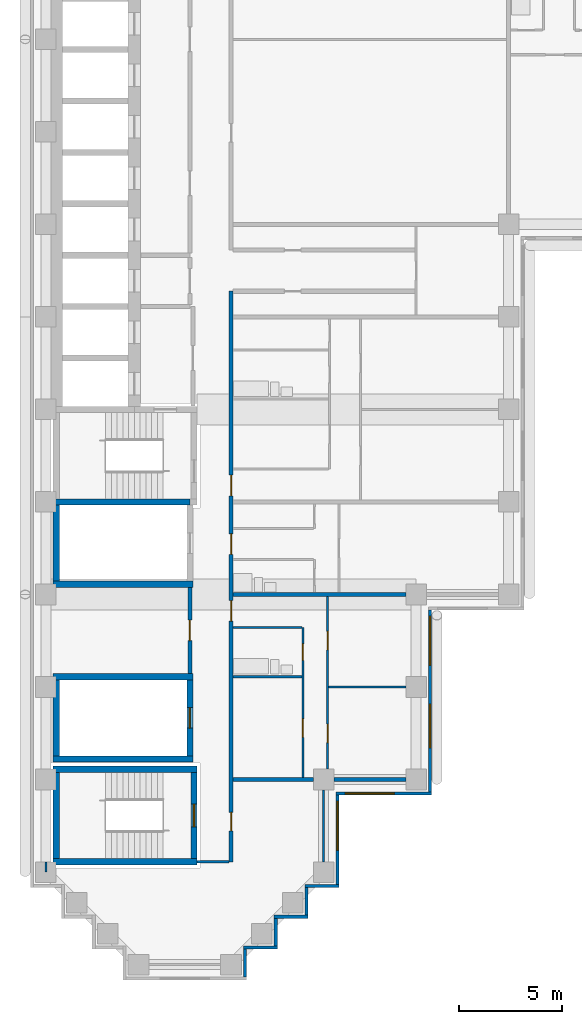
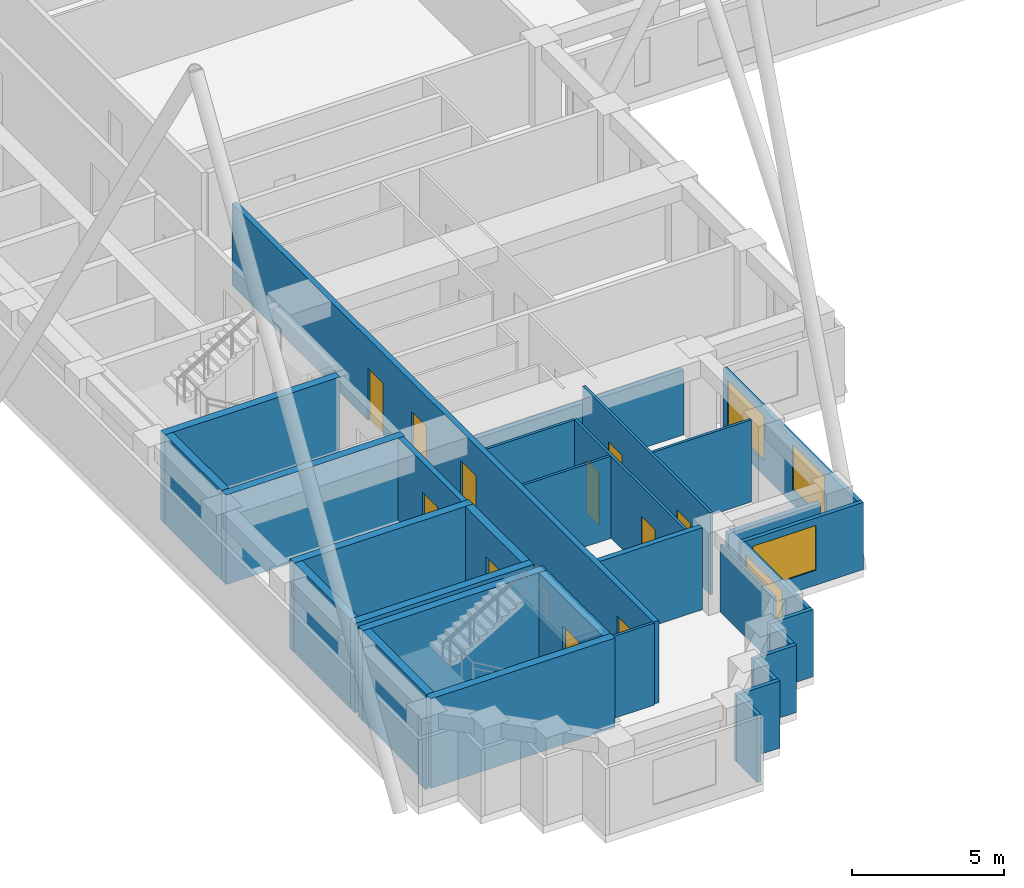
# One storey, part 3 of 13: 33 walls, 11 doors, 4 windows, 15 openings.
"""IFC4 building model written with IfcOpenShell, lengths in metres."""

from ifc_helpers import new_model, si_unit, direction, frame, frame_2d, origin, place, context, subcontext, project, spatial, rectangle, extrude, material, layer, layer_set, type_object, element, fill, save


model = new_model("IFC4")

# Units and contexts
model_context = context("Model", 3, precision=1e-05, world=origin(), true_north=direction((0.0, 1.0)))
body_context = subcontext(model_context, "Body", "Model", "MODEL_VIEW")
ifc_project = project(units=[si_unit("LENGTHUNIT", "METRE"), si_unit("AREAUNIT", "SQUARE_METRE"), si_unit("VOLUMEUNIT", "CUBIC_METRE"), si_unit("PLANEANGLEUNIT", "RADIAN"), si_unit("MASSUNIT", "GRAM", prefix="KILO")], contexts=[model_context])

# Site, building, storey
site_placement = place(None, origin())
site = spatial("IfcSite", under=ifc_project, at=site_placement, CompositionType="ELEMENT")
building_placement = place(site_placement, origin())
building = spatial("IfcBuilding", under=site, at=building_placement, Name="Firuza Court", CompositionType="ELEMENT")
storey_placement = place(building_placement, frame((0.0, 0.0, 141.199951171875)))
storey = spatial("IfcBuildingStorey", under=building, at=storey_placement, Name="L35", CompositionType="ELEMENT", Elevation=141.199951171875)

# Walls
ifc_material_1 = material(Name="Moisture-resistant gypsum board partition")
ifc_layer_1 = layer(ifc_material_1, 0.10009765625)
ifc_layer_set_1 = layer_set([ifc_layer_1], Name="Moisture-resistant gypsum board partition")
wall_type_1 = type_object("IfcWallType", Name="Bathroom partition 100", PredefinedType="PLUMBINGWALL", material=ifc_layer_set_1)
for number, where, z_axis, x_axis, name in (
    (1, (9.10009765625, 14.0, 0.0), (0.0, 0.0, 1.0), (1.0, 0.0, 0.0), "Bathroom partition 100 L35"),
    (2, (9.10009765625, 16.39990234375, 0.0), (0.0, 0.0, 1.0), (1.0, 0.0, 0.0), "Bathroom partition 100 L35"),
):
    element("IfcWall", number, at=place(storey_placement, frame(where, z_axis=z_axis, x_axis=x_axis)), inside=storey, type_object=wall_type_1, Name=name, PredefinedType="PLUMBINGWALL", context=body_context, shape_type="SweptSolid", body=[
        extrude(rectangle(XDim=3.349853515625, YDim=0.10009765625, at=frame_2d((1.6748046875, 0.0))), origin(), (0.0, 0.0, 1.0), 3.300048828125),
    ])
ifc_material_2 = material(Name="Concrete C60/75", Category="concrete")
ifc_layer_2 = layer(ifc_material_2, 0.300048828125)
ifc_layer_set_2 = layer_set([ifc_layer_2], Name="Concrete C60/75")
wall_type_2 = type_object("IfcWallType", Name="Core wall 300 C60/75", PredefinedType="SHEAR", material=ifc_layer_set_2)
for number, where, z_axis, x_axis, name in (
    (3, (0.35009765625, 5.0, -0.300048828125), (0.0, 0.0, 1.0), (1.0, 0.0, 0.0), "Core wall stair L35"),
    (4, (0.35009765625, 9.5, -0.300048828125), (0.0, 0.0, 1.0), (1.0, 0.0, 0.0), "Core wall stair L35"),
):
    element("IfcWall", number, at=place(storey_placement, frame(where, z_axis=z_axis, x_axis=x_axis)), inside=storey, type_object=wall_type_2, Name=name, PredefinedType="SHEAR", context=body_context, shape_type="SweptSolid", body=[
        extrude(rectangle(XDim=7.0, YDim=0.300048828125, at=frame_2d((3.5, 0.0))), origin(), (0.0, 0.0, 1.0), 3.60009765625),
    ])
for number, where, z_axis, x_axis, name in (
    (5, (0.35009765625, 10.0, -0.300048828125), (0.0, 0.0, 1.0), (1.0, 0.0, 0.0), "Core wall riser L35"),
    (6, (0.35009765625, 14.0, -0.300048828125), (0.0, 0.0, 1.0), (1.0, 0.0, 0.0), "Core wall riser L35"),
    (7, (0.35009765625, 18.5, -0.300048828125), (0.0, 0.0, 1.0), (1.0, 0.0, 0.0), "Core wall riser L35"),
):
    element("IfcWall", number, at=place(storey_placement, frame(where, z_axis=z_axis, x_axis=x_axis)), inside=storey, type_object=wall_type_2, Name=name, PredefinedType="SHEAR", context=body_context, shape_type="SweptSolid", body=[
        extrude(rectangle(XDim=6.7998046875, YDim=0.300048828125, at=frame_2d((3.39990234375, 0.0))), origin(), (0.0, 0.0, 1.0), 3.60009765625),
    ])
wall_1_placement = place(storey_placement, frame((0.35009765625, 22.5, -0.300048828125), z_axis=(0.0, 0.0, 1.0), x_axis=(1.0, 0.0, 0.0)))
element("IfcWall", 8, at=wall_1_placement, inside=storey, type_object=wall_type_2, Name="Core wall riser L35", PredefinedType="SHEAR", context=body_context, shape_type="SweptSolid", body=[
    extrude(rectangle(XDim=6.64990234375, YDim=0.300048828125, at=frame_2d((3.324951171875, 0.0))), origin(), (0.0, 0.0, 1.0), 3.60009765625),
])
wall_2_placement = place(storey_placement, frame((0.5, 5.14990234375, -0.300048828125), z_axis=(0.0, 0.0, 1.0), x_axis=(0.0, 1.0, 0.0)))
element("IfcWall", 9, at=wall_2_placement, inside=storey, type_object=wall_type_2, Name="Core wall stair L35", PredefinedType="SHEAR", context=body_context, shape_type="SweptSolid", body=[
    extrude(rectangle(XDim=4.2001953125, YDim=0.300048828125, at=frame_2d((2.10009765625, 0.0))), origin(), (0.0, 0.0, 1.0), 3.60009765625),
])
for number, where, z_axis, x_axis, name in (
    (10, (0.5, 10.14990234375, -0.300048828125), (0.0, 0.0, 1.0), (0.0, 1.0, 0.0), "Core wall riser L35"),
    (11, (0.5, 18.64990234375, -0.300048828125), (0.0, 0.0, 1.0), (0.0, 1.0, 0.0), "Core wall riser L35"),
):
    element("IfcWall", number, at=place(storey_placement, frame(where, z_axis=z_axis, x_axis=x_axis)), inside=storey, type_object=wall_type_2, Name=name, PredefinedType="SHEAR", context=body_context, shape_type="SweptSolid", body=[
        extrude(rectangle(XDim=3.7001953125, YDim=0.300048828125, at=frame_2d((1.85009765625, 0.0))), origin(), (0.0, 0.0, 1.0), 3.60009765625),
    ])

# Wall, opening, door
wall_3_placement = place(storey_placement, frame((7.0, 10.14990234375, -0.300048828125), z_axis=(0.0, 0.0, 1.0), x_axis=(0.0, 1.0, 0.0)))
wall_3 = element("IfcWall", 12, at=wall_3_placement, inside=storey, type_object=wall_type_2, Name="Core wall riser L35", PredefinedType="SHEAR", context=body_context, shape_type="SweptSolid", body=[
    extrude(rectangle(XDim=3.7001953125, YDim=0.300048828125, at=frame_2d((1.85009765625, 0.0))), origin(), (0.0, 0.0, 1.0), 3.60009765625),
])
opening_1_placement = place(wall_3_placement, frame((1.35009765625, 0.0, 0.300048828125)))
opening_1 = element("IfcOpeningElement", 13, at=opening_1_placement, cuts=wall_3, Name="Opening D35011", PredefinedType="OPENING", context=body_context, shape_type="SweptSolid", body=[
    extrude(rectangle(XDim=1.0, YDim=2.10009765625, at=frame_2d((0.5, 1.050048828125))), frame((0.0, 0.162109375, 0.0), z_axis=(0.0, -1.0, 0.0), x_axis=(1.0, 0.0, 0.0)), (0.0, 0.0, 1.0), 0.323974609375),
])
ifc_material_3 = material(Name="Timber door leaf in hardwood frame", Category="wood")
door_type_1 = type_object("IfcDoorType", Name="Riser door 1000", OperationType="SINGLE_SWING_LEFT", PredefinedType="DOOR", material=ifc_material_3)
door_1_placement = place(opening_1_placement, origin())
door_1 = element("IfcDoor", 14, at=door_1_placement, inside=storey, type_object=door_type_1, Name="Riser door R4", OperationType="SINGLE_SWING_LEFT", OverallHeight=2.10009765625, OverallWidth=1.0, PredefinedType="DOOR", context=body_context, shape_type="SweptSolid", body=[
    extrude(rectangle(XDim=1.0, YDim=2.10009765625, at=frame_2d((0.5, 1.050048828125))), frame((0.0, 0.02490234375, 0.0), z_axis=(0.0, -1.0, 0.0), x_axis=(1.0, 0.0, 0.0)), (0.0, 0.0, 1.0), 0.050048828125),
])
fill(opening_1, door_1)

wall_4_placement = place(storey_placement, frame((7.199951171875, 5.14990234375, -0.300048828125), z_axis=(0.0, 0.0, 1.0), x_axis=(0.0, 1.0, 0.0)))
wall_4 = element("IfcWall", 15, at=wall_4_placement, inside=storey, type_object=wall_type_2, Name="Core wall stair L35", PredefinedType="SHEAR", context=body_context, shape_type="SweptSolid", body=[
    extrude(rectangle(XDim=4.2001953125, YDim=0.300048828125, at=frame_2d((2.10009765625, 0.0))), origin(), (0.0, 0.0, 1.0), 3.60009765625),
])
opening_2_placement = place(wall_4_placement, frame((1.550048828125, 0.0, 0.300048828125)))
opening_2 = element("IfcOpeningElement", 16, at=opening_2_placement, cuts=wall_4, Name="Opening D35017", PredefinedType="OPENING", context=body_context, shape_type="SweptSolid", body=[
    extrude(rectangle(XDim=1.10009765625, YDim=2.10009765625, at=frame_2d((0.550048828125, 1.050048828125))), frame((0.0, 0.162109375, 0.0), z_axis=(0.0, -1.0, 0.0), x_axis=(1.0, 0.0, 0.0)), (0.0, 0.0, 1.0), 0.323974609375),
])
ifc_material_4 = material(Name="Timber door leaf in hardwood frame", Category="wood")
door_type_2 = type_object("IfcDoorType", Name="Stair door 1100", OperationType="SINGLE_SWING_LEFT", PredefinedType="DOOR", material=ifc_material_4)
door_2_placement = place(opening_2_placement, origin())
door_2 = element("IfcDoor", 17, at=door_2_placement, inside=storey, type_object=door_type_2, Name="Stair door S5", OperationType="SINGLE_SWING_LEFT", OverallHeight=2.10009765625, OverallWidth=1.10009765625, PredefinedType="DOOR", context=body_context, shape_type="SweptSolid", body=[
    extrude(rectangle(XDim=1.10009765625, YDim=2.10009765625, at=frame_2d((0.550048828125, 1.050048828125))), frame((0.0, 0.02490234375, 0.0), z_axis=(0.0, -1.0, 0.0), x_axis=(1.0, 0.0, 0.0)), (0.0, 0.0, 1.0), 0.050048828125),
])
fill(opening_2, door_2)

# Wall, openings, doors
ifc_material_5 = material(Name="Blockwork, plastered both sides", Category="masonry")
ifc_layer_3 = layer(ifc_material_5, 0.199951171875)
ifc_layer_set_3 = layer_set([ifc_layer_3], Name="Blockwork, plastered both sides")
wall_type_3 = type_object("IfcWallType", Name="Corridor wall 200", PredefinedType="PARTITIONING", material=ifc_layer_set_3)
wall_5_placement = place(storey_placement, frame((9.0, 5.0, 0.0), z_axis=(0.0, 0.0, 1.0), x_axis=(0.0, 1.0, 0.0)))
wall_5 = element("IfcWall", 18, at=wall_5_placement, inside=storey, type_object=wall_type_3, Name="Corridor wall 200 L35", PredefinedType="PARTITIONING", context=body_context, shape_type="SweptSolid", body=[
    extrude(rectangle(XDim=27.75, YDim=0.199951171875, at=frame_2d((13.875, 0.0))), origin(), (0.0, 0.0, 1.0), 3.300048828125),
])
opening_3_placement = place(wall_5_placement, frame((17.800048828125, 0.0, 0.0)))
opening_3 = element("IfcOpeningElement", 19, at=opening_3_placement, cuts=wall_5, Name="Opening D35018", PredefinedType="OPENING", context=body_context, shape_type="SweptSolid", body=[
    extrude(rectangle(XDim=1.0, YDim=2.10009765625, at=frame_2d((0.5, 1.050048828125))), frame((0.0, 0.11181640625, 0.0), z_axis=(0.0, -1.0, 0.0), x_axis=(1.0, 0.0, 0.0)), (0.0, 0.0, 1.0), 0.223876953125),
])
opening_4_placement = place(wall_5_placement, frame((14.949951171875, 0.0, 0.0)))
opening_4 = element("IfcOpeningElement", 20, at=opening_4_placement, cuts=wall_5, Name="Opening D35019", PredefinedType="OPENING", context=body_context, shape_type="SweptSolid", body=[
    extrude(rectangle(XDim=1.0, YDim=2.10009765625, at=frame_2d((0.5, 1.050048828125))), frame((0.0, 0.11181640625, 0.0), z_axis=(0.0, -1.0, 0.0), x_axis=(1.0, 0.0, 0.0)), (0.0, 0.0, 1.0), 0.223876953125),
])
opening_5_placement = place(wall_5_placement, frame((11.699951171875, 0.0, 0.0)))
opening_5 = element("IfcOpeningElement", 21, at=opening_5_placement, cuts=wall_5, Name="Opening D35020", PredefinedType="OPENING", context=body_context, shape_type="SweptSolid", body=[
    extrude(rectangle(XDim=1.0, YDim=2.10009765625, at=frame_2d((0.5, 1.050048828125))), frame((0.0, 0.11181640625, 0.0), z_axis=(0.0, -1.0, 0.0), x_axis=(1.0, 0.0, 0.0)), (0.0, 0.0, 1.0), 0.223876953125),
])
opening_6_placement = place(wall_5_placement, frame((1.5, 0.0, 0.0)))
opening_6 = element("IfcOpeningElement", 22, at=opening_6_placement, cuts=wall_5, Name="Opening D35021", PredefinedType="OPENING", context=body_context, shape_type="SweptSolid", body=[
    extrude(rectangle(XDim=0.89990234375, YDim=2.10009765625, at=frame_2d((0.449951171875, 1.050048828125))), frame((0.0, 0.11181640625, 0.0), z_axis=(0.0, -1.0, 0.0), x_axis=(1.0, 0.0, 0.0)), (0.0, 0.0, 1.0), 0.223876953125),
])
ifc_material_6 = material(Name="Timber door leaf in hardwood frame", Category="wood")
door_type_3 = type_object("IfcDoorType", Name="Flat entrance door 1000", OperationType="SINGLE_SWING_LEFT", PredefinedType="DOOR", material=ifc_material_6)
door_3_placement = place(opening_3_placement, origin())
door_3 = element("IfcDoor", 23, at=door_3_placement, inside=storey, type_object=door_type_3, Name="Flat entrance door", OperationType="SINGLE_SWING_LEFT", OverallHeight=2.10009765625, OverallWidth=1.0, PredefinedType="DOOR", context=body_context, shape_type="SweptSolid", body=[
    extrude(rectangle(XDim=1.0, YDim=2.10009765625, at=frame_2d((0.5, 1.050048828125))), frame((0.0, 0.02490234375, 0.0), z_axis=(0.0, -1.0, 0.0), x_axis=(1.0, 0.0, 0.0)), (0.0, 0.0, 1.0), 0.050048828125),
])
fill(opening_3, door_3)
door_4_placement = place(opening_4_placement, origin())
door_4 = element("IfcDoor", 24, at=door_4_placement, inside=storey, type_object=door_type_3, Name="Flat entrance door", OperationType="SINGLE_SWING_LEFT", OverallHeight=2.10009765625, OverallWidth=1.0, PredefinedType="DOOR", context=body_context, shape_type="SweptSolid", body=[
    extrude(rectangle(XDim=1.0, YDim=2.10009765625, at=frame_2d((0.5, 1.050048828125))), frame((0.0, 0.02490234375, 0.0), z_axis=(0.0, -1.0, 0.0), x_axis=(1.0, 0.0, 0.0)), (0.0, 0.0, 1.0), 0.050048828125),
])
fill(opening_4, door_4)
door_5_placement = place(opening_5_placement, origin())
door_5 = element("IfcDoor", 25, at=door_5_placement, inside=storey, type_object=door_type_3, Name="Flat entrance door", OperationType="SINGLE_SWING_LEFT", OverallHeight=2.10009765625, OverallWidth=1.0, PredefinedType="DOOR", context=body_context, shape_type="SweptSolid", body=[
    extrude(rectangle(XDim=1.0, YDim=2.10009765625, at=frame_2d((0.5, 1.050048828125))), frame((0.0, 0.02490234375, 0.0), z_axis=(0.0, -1.0, 0.0), x_axis=(1.0, 0.0, 0.0)), (0.0, 0.0, 1.0), 0.050048828125),
])
fill(opening_5, door_5)
ifc_material_7 = material(Name="Timber door leaf in hardwood frame", Category="wood")
door_type_4 = type_object("IfcDoorType", Name="Room door 900 EI 30", OperationType="SINGLE_SWING_LEFT", PredefinedType="DOOR", material=ifc_material_7)
door_6_placement = place(opening_6_placement, origin())
door_6 = element("IfcDoor", 26, at=door_6_placement, inside=storey, type_object=door_type_4, Name="Dining room door", OperationType="SINGLE_SWING_LEFT", OverallHeight=2.10009765625, OverallWidth=0.89990234375, PredefinedType="DOOR", context=body_context, shape_type="SweptSolid", body=[
    extrude(rectangle(XDim=0.89990234375, YDim=2.10009765625, at=frame_2d((0.449951171875, 1.050048828125))), frame((0.0, 0.02490234375, 0.0), z_axis=(0.0, -1.0, 0.0), x_axis=(1.0, 0.0, 0.0)), (0.0, 0.0, 1.0), 0.050048828125),
])
fill(opening_6, door_6)

# Wall, opening, door
wall_6_placement = place(storey_placement, frame((7.0, 14.14990234375, 0.0), z_axis=(0.0, 0.0, 1.0), x_axis=(0.0, 1.0, 0.0)))
wall_6 = element("IfcWall", 27, at=wall_6_placement, inside=storey, type_object=wall_type_3, Name="Corridor wall 200 L35", PredefinedType="PARTITIONING", context=body_context, shape_type="SweptSolid", body=[
    extrude(rectangle(XDim=4.2001953125, YDim=0.199951171875, at=frame_2d((2.10009765625, 0.0))), origin(), (0.0, 0.0, 1.0), 3.300048828125),
])
opening_7_placement = place(wall_6_placement, frame((1.60009765625, 0.0, 0.0)))
opening_7 = element("IfcOpeningElement", 28, at=opening_7_placement, cuts=wall_6, Name="Opening D35026", PredefinedType="OPENING", context=body_context, shape_type="SweptSolid", body=[
    extrude(rectangle(XDim=1.0, YDim=2.10009765625, at=frame_2d((0.5, 1.050048828125))), frame((0.0, 0.11181640625, 0.0), z_axis=(0.0, -1.0, 0.0), x_axis=(1.0, 0.0, 0.0)), (0.0, 0.0, 1.0), 0.223876953125),
])
ifc_material_8 = material(Name="Timber door leaf in hardwood frame", Category="wood")
door_type_5 = type_object("IfcDoorType", Name="Store door 1000", OperationType="SINGLE_SWING_LEFT", PredefinedType="DOOR", material=ifc_material_8)
door_7_placement = place(opening_7_placement, origin())
door_7 = element("IfcDoor", 29, at=door_7_placement, inside=storey, type_object=door_type_5, Name="Electrical room door", OperationType="SINGLE_SWING_LEFT", OverallHeight=2.10009765625, OverallWidth=1.0, PredefinedType="DOOR", context=body_context, shape_type="SweptSolid", body=[
    extrude(rectangle(XDim=1.0, YDim=2.10009765625, at=frame_2d((0.5, 1.050048828125))), frame((0.0, 0.02490234375, 0.0), z_axis=(0.0, -1.0, 0.0), x_axis=(1.0, 0.0, 0.0)), (0.0, 0.0, 1.0), 0.050048828125),
])
fill(opening_7, door_7)

# Walls
ifc_material_9 = material(Name="Timber stud partition, plasterboard both sides", Category="wood")
ifc_layer_4 = layer(ifc_material_9, 0.10009765625)
ifc_layer_set_4 = layer_set([ifc_layer_4], Name="Timber stud partition, plasterboard both sides")
wall_type_4 = type_object("IfcWallType", Name="Partition wall 100", PredefinedType="PARTITIONING", material=ifc_layer_set_4)
wall_7_placement = place(storey_placement, frame((0.0, 4.5, 0.0), z_axis=(0.0, 0.0, 1.0), x_axis=(0.0, 1.0, 0.0)))
element("IfcWall", 30, at=wall_7_placement, inside=storey, type_object=wall_type_4, Name="Partition wall 100 L35", PredefinedType="PARTITIONING", context=body_context, shape_type="SweptSolid", body=[
    extrude(rectangle(XDim=0.5, YDim=0.10009765625, at=frame_2d((0.25, 0.0))), origin(), (0.0, 0.0, 1.0), 2.699951171875),
])
wall_8_placement = place(storey_placement, frame((7.34912109375, 5.0, 0.0), z_axis=(0.0, 0.0, 1.0), x_axis=(1.0, 0.0, 0.0)))
element("IfcWall", 31, at=wall_8_placement, inside=storey, type_object=wall_type_4, Name="Partition wall 100 L35", PredefinedType="PARTITIONING", context=body_context, shape_type="SweptSolid", body=[
    extrude(rectangle(XDim=1.55078125, YDim=0.10009765625, at=frame_2d((0.775390625, 0.0))), origin(), (0.0, 0.0, 1.0), 3.300048828125),
])
wall_9_placement = place(storey_placement, frame((13.5, 5.0, 0.0), z_axis=(0.0, 0.0, 1.0), x_axis=(0.0, 1.0, 0.0)))
element("IfcWall", 32, at=wall_9_placement, inside=storey, type_object=wall_type_4, Name="Partition wall 100 L35", PredefinedType="PARTITIONING", context=body_context, shape_type="SweptSolid", body=[
    extrude(rectangle(XDim=3.5, YDim=0.10009765625, at=frame_2d((1.75, 0.0))), origin(), (0.0, 0.0, 1.0), 2.699951171875),
])

# Wall, openings, doors
wall_10_placement = place(storey_placement, frame((12.5, 9.10009765625, 0.0), z_axis=(0.0, 0.0, 1.0), x_axis=(0.0, 1.0, 0.0)))
wall_10 = element("IfcWall", 33, at=wall_10_placement, inside=storey, type_object=wall_type_4, Name="Partition wall 100 L35", PredefinedType="PARTITIONING", context=body_context, shape_type="SweptSolid", body=[
    extrude(rectangle(XDim=7.2998046875, YDim=0.10009765625, at=frame_2d((3.64990234375, 0.0))), origin(), (0.0, 0.0, 1.0), 3.300048828125),
])
opening_8_placement = place(wall_10_placement, frame((5.699951171875, 0.0, 0.0)))
opening_8 = element("IfcOpeningElement", 34, at=opening_8_placement, cuts=wall_10, Name="Opening D35022", PredefinedType="OPENING", context=body_context, shape_type="SweptSolid", body=[
    extrude(rectangle(XDim=0.800048828125, YDim=2.10009765625, at=frame_2d((0.39990234375, 1.050048828125))), frame((0.0, 0.06201171875, 0.0), z_axis=(0.0, -1.0, 0.0), x_axis=(1.0, 0.0, 0.0)), (0.0, 0.0, 1.0), 0.1240234375),
])
opening_9_placement = place(wall_10_placement, frame((1.949951171875, 0.0, 0.0)))
opening_9 = element("IfcOpeningElement", 35, at=opening_9_placement, cuts=wall_10, Name="Opening D35023", PredefinedType="OPENING", context=body_context, shape_type="SweptSolid", body=[
    extrude(rectangle(XDim=0.89990234375, YDim=2.10009765625, at=frame_2d((0.449951171875, 1.050048828125))), frame((0.0, 0.06201171875, 0.0), z_axis=(0.0, -1.0, 0.0), x_axis=(1.0, 0.0, 0.0)), (0.0, 0.0, 1.0), 0.1240234375),
])
ifc_material_10 = material(Name="Timber door leaf in hardwood frame", Category="wood")
door_type_6 = type_object("IfcDoorType", Name="Bathroom door 800", OperationType="SINGLE_SWING_LEFT", PredefinedType="DOOR", material=ifc_material_10)
door_8_placement = place(opening_8_placement, origin())
door_8 = element("IfcDoor", 36, at=door_8_placement, inside=storey, type_object=door_type_6, Name="Bathroom door", OperationType="SINGLE_SWING_LEFT", OverallHeight=2.10009765625, OverallWidth=0.800048828125, PredefinedType="DOOR", context=body_context, shape_type="SweptSolid", body=[
    extrude(rectangle(XDim=0.800048828125, YDim=2.10009765625, at=frame_2d((0.39990234375, 1.050048828125))), frame((0.0, 0.02490234375, 0.0), z_axis=(0.0, -1.0, 0.0), x_axis=(1.0, 0.0, 0.0)), (0.0, 0.0, 1.0), 0.050048828125),
])
fill(opening_8, door_8)
ifc_material_11 = material(Name="Timber door leaf in hardwood frame", Category="wood")
door_type_7 = type_object("IfcDoorType", Name="Room door 900", OperationType="SINGLE_SWING_LEFT", PredefinedType="DOOR", material=ifc_material_11)
door_9_placement = place(opening_9_placement, origin())
door_9 = element("IfcDoor", 37, at=door_9_placement, inside=storey, type_object=door_type_7, Name="Kitchen door", OperationType="SINGLE_SWING_LEFT", OverallHeight=2.10009765625, OverallWidth=0.89990234375, PredefinedType="DOOR", context=body_context, shape_type="SweptSolid", body=[
    extrude(rectangle(XDim=0.89990234375, YDim=2.10009765625, at=frame_2d((0.449951171875, 1.050048828125))), frame((0.0, 0.02490234375, 0.0), z_axis=(0.0, -1.0, 0.0), x_axis=(1.0, 0.0, 0.0)), (0.0, 0.0, 1.0), 0.050048828125),
])
fill(opening_9, door_9)

wall_11_placement = place(storey_placement, frame((13.699951171875, 9.5, 0.0), z_axis=(0.0, 0.0, 1.0), x_axis=(0.0, 1.0, 0.0)))
wall_11 = element("IfcWall", 38, at=wall_11_placement, inside=storey, type_object=wall_type_4, Name="Partition wall 100 L35", PredefinedType="PARTITIONING", context=body_context, shape_type="SweptSolid", body=[
    extrude(rectangle(XDim=8.39990234375, YDim=0.10009765625, at=frame_2d((4.199951171875, 0.0))), origin(), (0.0, 0.0, 1.0), 3.300048828125),
])
opening_10_placement = place(wall_11_placement, frame((1.300048828125, 0.0, 0.0)))
opening_10 = element("IfcOpeningElement", 39, at=opening_10_placement, cuts=wall_11, Name="Opening D35024", PredefinedType="OPENING", context=body_context, shape_type="SweptSolid", body=[
    extrude(rectangle(XDim=0.89990234375, YDim=2.10009765625, at=frame_2d((0.449951171875, 1.050048828125))), frame((0.0, 0.06201171875, 0.0), z_axis=(0.0, -1.0, 0.0), x_axis=(1.0, 0.0, 0.0)), (0.0, 0.0, 1.0), 0.1240234375),
])
opening_11_placement = place(wall_11_placement, frame((5.800048828125, 0.0, 0.0)))
opening_11 = element("IfcOpeningElement", 40, at=opening_11_placement, cuts=wall_11, Name="Opening D35025", PredefinedType="OPENING", context=body_context, shape_type="SweptSolid", body=[
    extrude(rectangle(XDim=0.89990234375, YDim=2.10009765625, at=frame_2d((0.449951171875, 1.050048828125))), frame((0.0, 0.06201171875, 0.0), z_axis=(0.0, -1.0, 0.0), x_axis=(1.0, 0.0, 0.0)), (0.0, 0.0, 1.0), 0.1240234375),
])
door_10_placement = place(opening_10_placement, frame((0.89990234375, 0.0, 0.0), z_axis=(0.0, 0.0, 1.0), x_axis=(-1.0, 0.0, 0.0)))
door_10 = element("IfcDoor", 41, at=door_10_placement, inside=storey, type_object=door_type_7, Name="Bedroom door", OperationType="SINGLE_SWING_RIGHT", OverallHeight=2.10009765625, OverallWidth=0.89990234375, PredefinedType="DOOR", context=body_context, shape_type="SweptSolid", body=[
    extrude(rectangle(XDim=0.89990234375, YDim=2.10009765625, at=frame_2d((0.449951171875, 1.050048828125))), frame((0.0, 0.02490234375, 0.0), z_axis=(0.0, -1.0, 0.0), x_axis=(1.0, 0.0, 0.0)), (0.0, 0.0, 1.0), 0.050048828125),
])
fill(opening_10, door_10)
door_11_placement = place(opening_11_placement, frame((0.89990234375, 0.0, 0.0), z_axis=(0.0, 0.0, 1.0), x_axis=(-1.0, 0.0, 0.0)))
door_11 = element("IfcDoor", 42, at=door_11_placement, inside=storey, type_object=door_type_7, Name="Living room door", OperationType="SINGLE_SWING_RIGHT", OverallHeight=2.10009765625, OverallWidth=0.89990234375, PredefinedType="DOOR", context=body_context, shape_type="SweptSolid", body=[
    extrude(rectangle(XDim=0.89990234375, YDim=2.10009765625, at=frame_2d((0.449951171875, 1.050048828125))), frame((0.0, 0.02490234375, 0.0), z_axis=(0.0, -1.0, 0.0), x_axis=(1.0, 0.0, 0.0)), (0.0, 0.0, 1.0), 0.050048828125),
])
fill(opening_11, door_11)

# Walls
wall_12_placement = place(storey_placement, frame((13.75, 13.5, 0.0), z_axis=(0.0, 0.0, 1.0), x_axis=(1.0, 0.0, 0.0)))
element("IfcWall", 43, at=wall_12_placement, inside=storey, type_object=wall_type_4, Name="Partition wall 100 L35", PredefinedType="PARTITIONING", context=body_context, shape_type="SweptSolid", body=[
    extrude(rectangle(XDim=3.75, YDim=0.10009765625, at=frame_2d((1.875, 0.0))), origin(), (0.0, 0.0, 1.0), 3.300048828125),
])
ifc_layer_5 = layer(ifc_material_5, 0.199951171875)
ifc_layer_set_5 = layer_set([ifc_layer_5], Name="Blockwork, plastered both sides")
wall_type_5 = type_object("IfcWallType", Name="Party wall 200", PredefinedType="PARTITIONING", material=ifc_layer_set_5)
wall_13_placement = place(storey_placement, frame((9.10009765625, 9.0, 0.0), z_axis=(0.0, 0.0, 1.0), x_axis=(1.0, 0.0, 0.0)))
element("IfcWall", 44, at=wall_13_placement, inside=storey, type_object=wall_type_5, Name="Party wall 200 L35", PredefinedType="PARTITIONING", context=body_context, shape_type="SweptSolid", body=[
    extrude(rectangle(XDim=3.89990234375, YDim=0.199951171875, at=frame_2d((1.949951171875, 0.0))), origin(), (0.0, 0.0, 1.0), 3.300048828125),
])
wall_14_placement = place(storey_placement, frame((14.0, 9.0, 0.0), z_axis=(0.0, 0.0, 1.0), x_axis=(1.0, 0.0, 0.0)))
element("IfcWall", 45, at=wall_14_placement, inside=storey, type_object=wall_type_5, Name="Party wall 200 L35", PredefinedType="PARTITIONING", context=body_context, shape_type="SweptSolid", body=[
    extrude(rectangle(XDim=3.5, YDim=0.199951171875, at=frame_2d((1.75, 0.0))), origin(), (0.0, 0.0, 1.0), 2.699951171875),
])
wall_15_placement = place(storey_placement, frame((9.10009765625, 18.0, 0.0), z_axis=(0.0, 0.0, 1.0), x_axis=(1.0, 0.0, 0.0)))
element("IfcWall", 46, at=wall_15_placement, inside=storey, type_object=wall_type_5, Name="Party wall 200 L35", PredefinedType="PARTITIONING", context=body_context, shape_type="SweptSolid", body=[
    extrude(rectangle(XDim=8.39990234375, YDim=0.199951171875, at=frame_2d((4.199951171875, 0.0))), origin(), (0.0, 0.0, 1.0), 2.60009765625),
])
ifc_material_12 = material(Name="Ceramic tile", Category="ceramic")
ifc_layer_6 = layer(ifc_material_12, 0.02001953125)
ifc_material_13 = material(Name="Mineral wool insulation", Category="insulation")
ifc_layer_7 = layer(ifc_material_13, 0.050048828125)
ifc_material_14 = material(Name="Concrete C40/50 precast", Category="concrete")
ifc_layer_8 = layer(ifc_material_14, 0.080078125)
ifc_layer_set_6 = layer_set([ifc_layer_6, ifc_layer_7, ifc_layer_8], Name="Concrete C40/50 precast")
wall_type_6 = type_object("IfcWallType", Name="Precast cladding wall with turquoise TILE PANEL face 150", PredefinedType="STANDARD", material=ifc_layer_set_6)
wall_16_placement = place(storey_placement, frame((9.675048828125, -0.60009765625, 0.0), z_axis=(0.0, 0.0, 1.0), x_axis=(0.0, 1.0, 0.0)))
element("IfcWall", 47, at=wall_16_placement, inside=storey, type_object=wall_type_6, Name="Facade wall L35 E", PredefinedType="STANDARD", context=body_context, shape_type="SweptSolid", body=[
    extrude(rectangle(XDim=1.35009765625, YDim=0.14990234375, at=frame_2d((0.675048828125, 0.0))), origin(), (0.0, 0.0, 1.0), 2.699951171875),
])
wall_17_placement = place(storey_placement, frame((9.60009765625, 0.824951171875, 0.0), z_axis=(0.0, 0.0, 1.0), x_axis=(1.0, 0.0, 0.0)))
element("IfcWall", 48, at=wall_17_placement, inside=storey, type_object=wall_type_6, Name="Facade wall L35 S", PredefinedType="STANDARD", context=body_context, shape_type="SweptSolid", body=[
    extrude(rectangle(XDim=1.64990234375, YDim=0.14990234375, at=frame_2d((0.824951171875, 0.0))), origin(), (0.0, 0.0, 1.0), 2.699951171875),
])
wall_18_placement = place(storey_placement, frame((11.175048828125, 0.89990234375, 0.0), z_axis=(0.0, 0.0, 1.0), x_axis=(0.0, 1.0, 0.0)))
element("IfcWall", 49, at=wall_18_placement, inside=storey, type_object=wall_type_6, Name="Facade wall L35 E", PredefinedType="STANDARD", context=body_context, shape_type="SweptSolid", body=[
    extrude(rectangle(XDim=1.35009765625, YDim=0.14990234375, at=frame_2d((0.675048828125, 0.0))), origin(), (0.0, 0.0, 1.0), 2.699951171875),
])
wall_19_placement = place(storey_placement, frame((11.10009765625, 2.324951171875, 0.0), z_axis=(0.0, 0.0, 1.0), x_axis=(1.0, 0.0, 0.0)))
element("IfcWall", 50, at=wall_19_placement, inside=storey, type_object=wall_type_6, Name="Facade wall L35 S", PredefinedType="STANDARD", context=body_context, shape_type="SweptSolid", body=[
    extrude(rectangle(XDim=1.64990234375, YDim=0.14990234375, at=frame_2d((0.824951171875, 0.0))), origin(), (0.0, 0.0, 1.0), 2.699951171875),
])
wall_20_placement = place(storey_placement, frame((12.675048828125, 2.39990234375, 0.0), z_axis=(0.0, 0.0, 1.0), x_axis=(0.0, 1.0, 0.0)))
element("IfcWall", 51, at=wall_20_placement, inside=storey, type_object=wall_type_6, Name="Facade wall L35 E", PredefinedType="STANDARD", context=body_context, shape_type="SweptSolid", body=[
    extrude(rectangle(XDim=1.35009765625, YDim=0.14990234375, at=frame_2d((0.675048828125, 0.0))), origin(), (0.0, 0.0, 1.0), 2.699951171875),
])
wall_21_placement = place(storey_placement, frame((12.60009765625, 3.824951171875, 0.0), z_axis=(0.0, 0.0, 1.0), x_axis=(1.0, 0.0, 0.0)))
element("IfcWall", 52, at=wall_21_placement, inside=storey, type_object=wall_type_6, Name="Facade wall L35 S", PredefinedType="STANDARD", context=body_context, shape_type="SweptSolid", body=[
    extrude(rectangle(XDim=1.64990234375, YDim=0.14990234375, at=frame_2d((0.824951171875, 0.0))), origin(), (0.0, 0.0, 1.0), 2.699951171875),
])

# Wall, opening, window
wall_22_placement = place(storey_placement, frame((14.175048828125, 3.89990234375, 0.0), z_axis=(0.0, 0.0, 1.0), x_axis=(0.0, 1.0, 0.0)))
wall_22 = element("IfcWall", 53, at=wall_22_placement, inside=storey, type_object=wall_type_6, Name="Facade wall L35 E", PredefinedType="STANDARD", context=body_context, shape_type="SweptSolid", body=[
    extrude(rectangle(XDim=4.35009765625, YDim=0.14990234375, at=frame_2d((2.175048828125, 0.0))), origin(), (0.0, 0.0, 1.0), 2.699951171875),
])
opening_12_placement = place(wall_22_placement, frame((1.64990234375, 0.0, 0.60009765625)))
opening_12 = element("IfcOpeningElement", 54, at=opening_12_placement, cuts=wall_22, Name="Opening W1", PredefinedType="OPENING", context=body_context, shape_type="SweptSolid", body=[
    extrude(rectangle(XDim=2.39990234375, YDim=1.800048828125, at=frame_2d((1.199951171875, 0.89990234375))), frame((0.0, 0.0869140625, 0.0), z_axis=(0.0, -1.0, 0.0), x_axis=(1.0, 0.0, 0.0)), (0.0, 0.0, 1.0), 0.173828125),
])
ifc_material_15 = material(Name="Aluminium frame, triple clear glazing", Category="aluminium")
window_type_1 = type_object("IfcWindowType", Name="Window W1 2400 x 1800", PartitioningType="SINGLE_PANEL", PredefinedType="WINDOW", material=ifc_material_15)
window_1_placement = place(opening_12_placement, origin())
window_1 = element("IfcWindow", 55, at=window_1_placement, inside=storey, type_object=window_type_1, Name="Window L35", OverallHeight=1.800048828125, OverallWidth=2.39990234375, PartitioningType="SINGLE_PANEL", PredefinedType="WINDOW", context=body_context, shape_type="SweptSolid", body=[
    extrude(rectangle(XDim=2.39990234375, YDim=1.800048828125, at=frame_2d((1.199951171875, 0.89990234375))), frame((0.0, 0.030029296875, 0.0), z_axis=(0.0, -1.0, 0.0), x_axis=(1.0, 0.0, 0.0)), (0.0, 0.0, 1.0), 0.06005859375),
])
fill(opening_12, window_1)

wall_23_placement = place(storey_placement, frame((14.10009765625, 8.324951171875, 0.0), z_axis=(0.0, 0.0, 1.0), x_axis=(1.0, 0.0, 0.0)))
wall_23 = element("IfcWall", 56, at=wall_23_placement, inside=storey, type_object=wall_type_6, Name="Facade wall L35 S", PredefinedType="STANDARD", context=body_context, shape_type="SweptSolid", body=[
    extrude(rectangle(XDim=4.64990234375, YDim=0.14990234375, at=frame_2d((2.324951171875, 0.0))), origin(), (0.0, 0.0, 1.0), 2.699951171875),
])
opening_13_placement = place(wall_23_placement, frame((0.449951171875, 0.0, 0.60009765625)))
opening_13 = element("IfcOpeningElement", 57, at=opening_13_placement, cuts=wall_23, Name="Opening W1", PredefinedType="OPENING", context=body_context, shape_type="SweptSolid", body=[
    extrude(rectangle(XDim=2.39990234375, YDim=1.800048828125, at=frame_2d((1.199951171875, 0.89990234375))), frame((0.0, 0.0869140625, 0.0), z_axis=(0.0, -1.0, 0.0), x_axis=(1.0, 0.0, 0.0)), (0.0, 0.0, 1.0), 0.173828125),
])
window_2_placement = place(opening_13_placement, origin())
window_2 = element("IfcWindow", 58, at=window_2_placement, inside=storey, type_object=window_type_1, Name="Window L35", OverallHeight=1.800048828125, OverallWidth=2.39990234375, PartitioningType="SINGLE_PANEL", PredefinedType="WINDOW", context=body_context, shape_type="SweptSolid", body=[
    extrude(rectangle(XDim=2.39990234375, YDim=1.800048828125, at=frame_2d((1.199951171875, 0.89990234375))), frame((0.0, 0.030029296875, 0.0), z_axis=(0.0, -1.0, 0.0), x_axis=(1.0, 0.0, 0.0)), (0.0, 0.0, 1.0), 0.06005859375),
])
fill(opening_13, window_2)

# Wall, openings, windows
wall_24_placement = place(storey_placement, frame((18.675048828125, 8.39990234375, 0.0), z_axis=(0.0, 0.0, 1.0), x_axis=(0.0, 1.0, 0.0)))
wall_24 = element("IfcWall", 59, at=wall_24_placement, inside=storey, type_object=wall_type_6, Name="Facade wall L35 E", PredefinedType="STANDARD", context=body_context, shape_type="SweptSolid", body=[
    extrude(rectangle(XDim=8.85009765625, YDim=0.14990234375, at=frame_2d((4.425048828125, 0.0))), origin(), (0.0, 0.0, 1.0), 2.699951171875),
])
opening_14_placement = place(wall_24_placement, frame((2.156005859375, 0.0, 0.60009765625)))
opening_14 = element("IfcOpeningElement", 60, at=opening_14_placement, cuts=wall_24, Name="Opening W6", PredefinedType="OPENING", context=body_context, shape_type="SweptSolid", body=[
    extrude(rectangle(XDim=2.10009765625, YDim=1.800048828125, at=frame_2d((1.050048828125, 0.89990234375))), frame((0.0, 0.0869140625, 0.0), z_axis=(0.0, -1.0, 0.0), x_axis=(1.0, 0.0, 0.0)), (0.0, 0.0, 1.0), 0.173828125),
])
opening_15_placement = place(wall_24_placement, frame((6.14990234375, 0.0, 0.60009765625)))
opening_15 = element("IfcOpeningElement", 61, at=opening_15_placement, cuts=wall_24, Name="Opening W1", PredefinedType="OPENING", context=body_context, shape_type="SweptSolid", body=[
    extrude(rectangle(XDim=2.39990234375, YDim=1.800048828125, at=frame_2d((1.199951171875, 0.89990234375))), frame((0.0, 0.0869140625, 0.0), z_axis=(0.0, -1.0, 0.0), x_axis=(1.0, 0.0, 0.0)), (0.0, 0.0, 1.0), 0.173828125),
])
window_3_placement = place(opening_15_placement, origin())
window_3 = element("IfcWindow", 62, at=window_3_placement, inside=storey, type_object=window_type_1, Name="Window L35", OverallHeight=1.800048828125, OverallWidth=2.39990234375, PartitioningType="SINGLE_PANEL", PredefinedType="WINDOW", context=body_context, shape_type="SweptSolid", body=[
    extrude(rectangle(XDim=2.39990234375, YDim=1.800048828125, at=frame_2d((1.199951171875, 0.89990234375))), frame((0.0, 0.030029296875, 0.0), z_axis=(0.0, -1.0, 0.0), x_axis=(1.0, 0.0, 0.0)), (0.0, 0.0, 1.0), 0.06005859375),
])
fill(opening_15, window_3)
ifc_material_16 = material(Name="Aluminium frame, triple clear glazing", Category="aluminium")
window_type_2 = type_object("IfcWindowType", Name="Window W6 2100 x 1800", PartitioningType="SINGLE_PANEL", PredefinedType="WINDOW", material=ifc_material_16)
window_4_placement = place(opening_14_placement, origin())
window_4 = element("IfcWindow", 63, at=window_4_placement, inside=storey, type_object=window_type_2, Name="Window L35", OverallHeight=1.800048828125, OverallWidth=2.10009765625, PartitioningType="SINGLE_PANEL", PredefinedType="WINDOW", context=body_context, shape_type="SweptSolid", body=[
    extrude(rectangle(XDim=2.10009765625, YDim=1.800048828125, at=frame_2d((1.050048828125, 0.89990234375))), frame((0.0, 0.030029296875, 0.0), z_axis=(0.0, -1.0, 0.0), x_axis=(1.0, 0.0, 0.0)), (0.0, 0.0, 1.0), 0.06005859375),
])
fill(opening_14, window_4)

save(model, "model.ifc")
